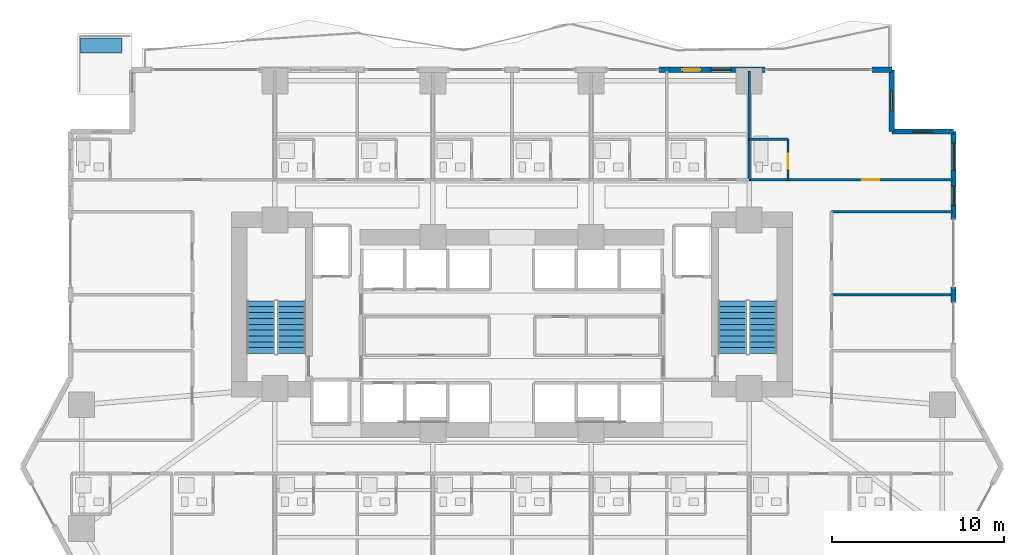
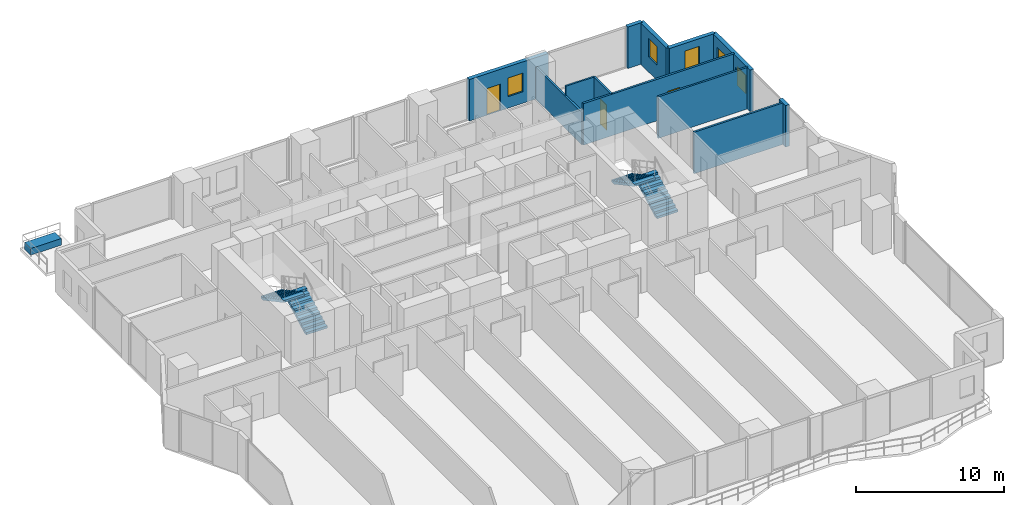
# One storey, part 24 of 29: 12 walls, 5 windows, 4 stair flights, 3 doors, 1 building element part, 8 openings, 2 elements without a shape of their own.
"""IFC4 building model written with IfcOpenShell, lengths in metres."""

from ifc_helpers import new_model, si_unit, direction, frame, frame_2d, origin, origin_2d, place, context, subcontext, project, spatial, polyline, rectangle, outline, extrude, material, layer, layer_set, type_object, element, fill, aggregate, save


model = new_model("IFC4")

# Units and contexts
model_context = context("Model", 3, precision=1e-05, world=origin(), true_north=direction((0.0, 1.0)))
body_context = subcontext(model_context, "Body", "Model", "MODEL_VIEW")
ifc_project = project(units=[si_unit("LENGTHUNIT", "METRE"), si_unit("AREAUNIT", "SQUARE_METRE"), si_unit("VOLUMEUNIT", "CUBIC_METRE"), si_unit("PLANEANGLEUNIT", "RADIAN"), si_unit("MASSUNIT", "GRAM", prefix="KILO")], contexts=[model_context])

# Site, building, storey
site_placement = place(None, origin())
site = spatial("IfcSite", under=ifc_project, at=site_placement, CompositionType="ELEMENT")
building_placement = place(site_placement, origin())
building = spatial("IfcBuilding", under=site, at=building_placement, Name="Zuhayl Quay Hotel", CompositionType="ELEMENT")
storey_placement = place(building_placement, frame((0.0, 0.0, 60.449951171875)))
storey = spatial("IfcBuildingStorey", under=building, at=storey_placement, Name="L14", CompositionType="ELEMENT", Elevation=60.449951171875)

# Wall, openings, door, window
ifc_material_1 = material(Name="Precast concrete C45/55", Category="concrete")
ifc_layer_1 = layer(ifc_material_1, 0.300048828125, Name="Precast concrete C45/55", Category="concrete")
ifc_layer_set_1 = layer_set([ifc_layer_1], Name="Precast concrete C45/55")
wall_type_1 = type_object("IfcWallType", Name="WL_EXT_300", PredefinedType="STANDARD", material=ifc_layer_set_1)
wall_1_placement = place(storey_placement, frame((8.550048828125, 23.10009765625, 0.0), z_axis=(0.0, 0.0, 1.0), x_axis=(1.0, 0.0, 0.0)))
wall_1 = element("IfcWall", 1, at=wall_1_placement, inside=storey, type_object=wall_type_1, Name="L14 Exterior Precast Wall ENV_L14_N_EW6", PredefinedType="STANDARD", context=body_context, shape_type="SweptSolid", body=[
    extrude(rectangle(XDim=6.169921875, YDim=0.300048828125, at=frame_2d((3.0849609375, 0.0))), origin(), (0.0, 0.0, 1.0), 3.429931640625),
])
opening_1_placement = place(wall_1_placement, frame((1.364990234375, 0.0, 0.0)))
opening_1 = element("IfcOpeningElement", 2, at=opening_1_placement, cuts=wall_1, Name="Opening DG1", PredefinedType="OPENING", context=body_context, shape_type="SweptSolid", body=[
    extrude(rectangle(XDim=1.050048828125, YDim=2.199951171875, at=frame_2d((0.52490234375, 1.10009765625))), frame((0.0, 0.159912109375, 0.0), z_axis=(0.0, -1.0, 0.0), x_axis=(1.0, 0.0, 0.0)), (0.0, 0.0, 1.0), 0.320068359375),
])
opening_2_placement = place(wall_1_placement, frame((3.032470703125, 0.0, 0.949951171875)))
opening_2 = element("IfcOpeningElement", 3, at=opening_2_placement, cuts=wall_1, Name="Opening W01N", PredefinedType="OPENING", context=body_context, shape_type="SweptSolid", body=[
    extrude(rectangle(XDim=1.14990234375, YDim=1.550048828125, at=frame_2d((0.574951171875, 0.77490234375))), frame((0.0, 0.159912109375, 0.0), z_axis=(0.0, -1.0, 0.0), x_axis=(1.0, 0.0, 0.0)), (0.0, 0.0, 1.0), 0.320068359375),
])
ifc_material_2 = material(Name="Anodised Aluminium and Dark Solar Glass", Category="aluminium")
door_type_1 = type_object("IfcDoorType", Name="DR_EXT_TERR_1050", OperationType="NOTDEFINED", PredefinedType="DOOR", material=ifc_material_2)
door_1_placement = place(opening_1_placement, origin())
door_1 = element("IfcDoor", 4, at=door_1_placement, inside=storey, type_object=door_type_1, Name="L14 North Rippling Balcony Door", OperationType="SINGLE_SWING_LEFT", OverallHeight=2.199951171875, OverallWidth=1.050048828125, PredefinedType="DOOR", context=body_context, shape_type="SweptSolid", body=[
    extrude(rectangle(XDim=1.050048828125, YDim=2.199951171875, at=frame_2d((0.52490234375, 1.10009765625))), frame((0.0, 0.02490234375, 0.0), z_axis=(0.0, -1.0, 0.0), x_axis=(1.0, 0.0, 0.0)), (0.0, 0.0, 1.0), 0.050048828125),
])
fill(opening_1, door_1)
ifc_material_3 = material(Name="Dark Ceramic-Fritted Solar Glass", Category="glass")
window_type_1 = type_object("IfcWindowType", Name="WN_NOTCH_1350", PartitioningType="SINGLE_PANEL", PredefinedType="WINDOW", material=ifc_material_3)
window_1_placement = place(opening_2_placement, origin())
window_1 = element("IfcWindow", 5, at=window_1_placement, inside=storey, type_object=window_type_1, Name="L14 Operable Facade Window 6-1", OverallHeight=1.550048828125, OverallWidth=1.14990234375, PartitioningType="SINGLE_PANEL", PredefinedType="WINDOW", context=body_context, shape_type="SweptSolid", body=[
    extrude(rectangle(XDim=1.14990234375, YDim=1.550048828125, at=frame_2d((0.574951171875, 0.77490234375))), frame((0.0, 0.030029296875, 0.0), z_axis=(0.0, -1.0, 0.0), x_axis=(1.0, 0.0, 0.0)), (0.0, 0.0, 1.0), 0.06005859375),
])
fill(opening_2, window_1)

# Wall
wall_2_placement = place(storey_placement, frame((20.949951171875, 23.10009765625, 0.0), z_axis=(0.0, 0.0, 1.0), x_axis=(1.0, 0.0, 0.0)))
element("IfcWall", 6, at=wall_2_placement, inside=storey, type_object=wall_type_1, Name="L14 Exterior Precast Wall ENV_L14_N_EW7", PredefinedType="STANDARD", context=body_context, shape_type="SweptSolid", body=[
    extrude(rectangle(XDim=1.150146484375, YDim=0.300048828125, at=frame_2d((0.5751953125, 0.0))), origin(), (0.0, 0.0, 1.0), 3.429931640625),
])

# Wall, opening, window
wall_3_placement = place(storey_placement, frame((22.10009765625, 23.10009765625, 0.0), z_axis=(0.0, 0.0, 1.0), x_axis=(0.0, -1.0, 0.0)))
wall_3 = element("IfcWall", 7, at=wall_3_placement, inside=storey, type_object=wall_type_1, Name="L14 Exterior Precast Wall ENV_L14_EW09", PredefinedType="STANDARD", context=body_context, shape_type="SweptSolid", body=[
    extrude(rectangle(XDim=3.60009765625, YDim=0.300048828125, at=frame_2d((1.800048828125, 0.0))), origin(), (0.0, 0.0, 1.0), 3.429931640625),
])
opening_3_placement = place(wall_3_placement, frame((1.22509765625, 0.0, 1.25)))
opening_3 = element("IfcOpeningElement", 8, at=opening_3_placement, cuts=wall_3, Name="Opening W01N", PredefinedType="OPENING", context=body_context, shape_type="SweptSolid", body=[
    extrude(rectangle(XDim=1.14990234375, YDim=1.550048828125, at=frame_2d((0.574951171875, 0.77490234375))), frame((0.0, 0.159912109375, 0.0), z_axis=(0.0, -1.0, 0.0), x_axis=(1.0, 0.0, 0.0)), (0.0, 0.0, 1.0), 0.320068359375),
])
window_2_placement = place(opening_3_placement, origin())
window_2 = element("IfcWindow", 9, at=window_2_placement, inside=storey, type_object=window_type_1, Name="L14 Corner Notch Window 9", OverallHeight=1.550048828125, OverallWidth=1.14990234375, PartitioningType="SINGLE_PANEL", PredefinedType="WINDOW", context=body_context, shape_type="SweptSolid", body=[
    extrude(rectangle(XDim=1.14990234375, YDim=1.550048828125, at=frame_2d((0.574951171875, 0.77490234375))), frame((0.0, 0.030029296875, 0.0), z_axis=(0.0, -1.0, 0.0), x_axis=(1.0, 0.0, 0.0)), (0.0, 0.0, 1.0), 0.06005859375),
])
fill(opening_3, window_2)

wall_4_placement = place(storey_placement, frame((22.10009765625, 19.5, 0.0), z_axis=(0.0, 0.0, 1.0), x_axis=(1.0, 0.0, 0.0)))
wall_4 = element("IfcWall", 10, at=wall_4_placement, inside=storey, type_object=wall_type_1, Name="L14 Exterior Precast Wall ENV_L14_EW10", PredefinedType="STANDARD", context=body_context, shape_type="SweptSolid", body=[
    extrude(rectangle(XDim=3.599853515625, YDim=0.300048828125, at=frame_2d((1.7998046875, 0.0))), origin(), (0.0, 0.0, 1.0), 3.429931640625),
])
opening_4_placement = place(wall_4_placement, frame((1.22509765625, 0.0, 1.25)))
opening_4 = element("IfcOpeningElement", 11, at=opening_4_placement, cuts=wall_4, Name="Opening W01N", PredefinedType="OPENING", context=body_context, shape_type="SweptSolid", body=[
    extrude(rectangle(XDim=1.14990234375, YDim=1.550048828125, at=frame_2d((0.574951171875, 0.77490234375))), frame((0.0, 0.159912109375, 0.0), z_axis=(0.0, -1.0, 0.0), x_axis=(1.0, 0.0, 0.0)), (0.0, 0.0, 1.0), 0.320068359375),
])
window_3_placement = place(opening_4_placement, origin())
window_3 = element("IfcWindow", 12, at=window_3_placement, inside=storey, type_object=window_type_1, Name="L14 Corner Notch Window 10", OverallHeight=1.550048828125, OverallWidth=1.14990234375, PartitioningType="SINGLE_PANEL", PredefinedType="WINDOW", context=body_context, shape_type="SweptSolid", body=[
    extrude(rectangle(XDim=1.14990234375, YDim=1.550048828125, at=frame_2d((0.574951171875, 0.77490234375))), frame((0.0, 0.030029296875, 0.0), z_axis=(0.0, -1.0, 0.0), x_axis=(1.0, 0.0, 0.0)), (0.0, 0.0, 1.0), 0.06005859375),
])
fill(opening_4, window_3)

# Wall, openings, windows
wall_5_placement = place(storey_placement, frame((25.699951171875, 19.5, 0.0), z_axis=(0.0, 0.0, 1.0), x_axis=(0.0, -1.0, 0.0)))
wall_5 = element("IfcWall", 13, at=wall_5_placement, inside=storey, type_object=wall_type_1, Name="L14 Exterior Precast Wall ENV_L14_E11_EW1", PredefinedType="STANDARD", context=body_context, shape_type="SweptSolid", body=[
    extrude(rectangle(XDim=5.10009765625, YDim=0.300048828125, at=frame_2d((2.550048828125, 0.0))), origin(), (0.0, 0.0, 1.0), 3.429931640625),
])
opening_5_placement = place(wall_5_placement, frame((0.659912109375, 0.0, 0.85009765625)))
opening_5 = element("IfcOpeningElement", 14, at=opening_5_placement, cuts=wall_5, Name="Opening W01", PredefinedType="OPENING", context=body_context, shape_type="SweptSolid", body=[
    extrude(rectangle(XDim=1.60009765625, YDim=1.800048828125, at=frame_2d((0.800048828125, 0.89990234375))), frame((0.0, 0.159912109375, 0.0), z_axis=(0.0, -1.0, 0.0), x_axis=(1.0, 0.0, 0.0)), (0.0, 0.0, 1.0), 0.320068359375),
])
opening_6_placement = place(wall_5_placement, frame((3.14990234375, 0.0, 0.949951171875)))
opening_6 = element("IfcOpeningElement", 15, at=opening_6_placement, cuts=wall_5, Name="Opening W01N", PredefinedType="OPENING", context=body_context, shape_type="SweptSolid", body=[
    extrude(rectangle(XDim=1.14990234375, YDim=1.550048828125, at=frame_2d((0.574951171875, 0.77490234375))), frame((0.0, 0.159912109375, 0.0), z_axis=(0.0, -1.0, 0.0), x_axis=(1.0, 0.0, 0.0)), (0.0, 0.0, 1.0), 0.320068359375),
])
window_4_placement = place(opening_6_placement, origin())
window_4 = element("IfcWindow", 16, at=window_4_placement, inside=storey, type_object=window_type_1, Name="L14 Operable Facade Window 1-2", OverallHeight=1.550048828125, OverallWidth=1.14990234375, PartitioningType="SINGLE_PANEL", PredefinedType="WINDOW", context=body_context, shape_type="SweptSolid", body=[
    extrude(rectangle(XDim=1.14990234375, YDim=1.550048828125, at=frame_2d((0.574951171875, 0.77490234375))), frame((0.0, 0.030029296875, 0.0), z_axis=(0.0, -1.0, 0.0), x_axis=(1.0, 0.0, 0.0)), (0.0, 0.0, 1.0), 0.06005859375),
])
fill(opening_6, window_4)
window_type_2 = type_object("IfcWindowType", Name="WN_OPERABLE_1600", PartitioningType="DOUBLE_PANEL_VERTICAL", PredefinedType="WINDOW", material=ifc_material_3)
window_5_placement = place(opening_5_placement, origin())
window_5 = element("IfcWindow", 17, at=window_5_placement, inside=storey, type_object=window_type_2, Name="L14 Operable Facade Window 1-1", OverallHeight=1.800048828125, OverallWidth=1.60009765625, PartitioningType="SINGLE_PANEL", PredefinedType="WINDOW", context=body_context, shape_type="SweptSolid", body=[
    extrude(rectangle(XDim=1.60009765625, YDim=1.800048828125, at=frame_2d((0.800048828125, 0.89990234375))), frame((0.0, 0.030029296875, 0.0), z_axis=(0.0, -1.0, 0.0), x_axis=(1.0, 0.0, 0.0)), (0.0, 0.0, 1.0), 0.06005859375),
])
fill(opening_5, window_5)

# Walls
wall_6_placement = place(storey_placement, frame((25.699951171875, 10.469970703125, 0.0), z_axis=(0.0, 0.0, 1.0), x_axis=(0.0, -1.0, 0.0)))
element("IfcWall", 18, at=wall_6_placement, inside=storey, type_object=wall_type_1, Name="L14 Exterior Precast Wall ENV_L14_E11_EW2", PredefinedType="STANDARD", context=body_context, shape_type="SweptSolid", body=[
    extrude(rectangle(XDim=0.89990234375, YDim=0.300048828125, at=frame_2d((0.449951171875, 0.0))), origin(), (0.0, 0.0, 1.0), 3.429931640625),
])
ifc_material_4 = material(Name="Acoustic Gypsum Partition STC-58")
ifc_layer_2 = layer(ifc_material_4, 0.14990234375, Name="Acoustic Gypsum Partition STC-58")
ifc_layer_set_2 = layer_set([ifc_layer_2], Name="Acoustic Gypsum Partition STC-58")
wall_type_2 = type_object("IfcWallType", Name="WL_PART_150", PredefinedType="PARTITIONING", material=ifc_layer_set_2)
wall_7_placement = place(storey_placement, frame((13.800048828125, 16.699951171875, 0.0), z_axis=(0.0, 0.0, 1.0), x_axis=(0.0, 1.0, 0.0)))
element("IfcWall", 19, at=wall_7_placement, inside=storey, type_object=wall_type_2, Name="L14 Partition IW_L14_NU07_E", PredefinedType="PARTITIONING", context=body_context, shape_type="SweptSolid", body=[
    extrude(rectangle(XDim=6.320068359375, YDim=0.14990234375, at=frame_2d((3.16015625, 0.0))), origin(), (0.0, 0.0, 1.0), 2.66796875),
])
for number, where, z_axis, x_axis, name in (
    (20, (18.60009765625, 10.02001953125, 0.0), (0.0, 0.0, 1.0), (1.0, 0.0, 0.0), "L14 Partition IW_L14_EFLK_2_N"),
    (21, (18.60009765625, 14.85009765625, 0.0), (0.0, 0.0, 1.0), (1.0, 0.0, 0.0), "L14 Partition IW_L14_EFLK_3_N"),
):
    element("IfcWall", number, at=place(storey_placement, frame(where, z_axis=z_axis, x_axis=x_axis)), inside=storey, type_object=wall_type_2, Name=name, PredefinedType="PARTITIONING", context=body_context, shape_type="SweptSolid", body=[
        extrude(rectangle(XDim=7.039794921875, YDim=0.14990234375, at=frame_2d((3.52001953125, 0.0))), origin(), (0.0, 0.0, 1.0), 3.429931640625),
    ])

# Wall, opening, door
ifc_layer_3 = layer(ifc_material_4, 0.159912109375, Name="Acoustic Gypsum Partition STC-58")
ifc_layer_set_3 = layer_set([ifc_layer_3], Name="Acoustic Gypsum Partition STC-58")
wall_type_3 = type_object("IfcWallType", Name="WL_PART_CORR_160", PredefinedType="PARTITIONING", material=ifc_layer_set_3)
wall_8_placement = place(storey_placement, frame((13.800048828125, 16.699951171875, 0.0), z_axis=(0.0, 0.0, 1.0), x_axis=(1.0, 0.0, 0.0)))
wall_8 = element("IfcWall", 22, at=wall_8_placement, inside=storey, type_object=wall_type_3, Name="L14 Partition IW_L14_NU08_COR", PredefinedType="PARTITIONING", context=body_context, shape_type="SweptSolid", body=[
    extrude(rectangle(XDim=11.83984375, YDim=0.159912109375, at=frame_2d((5.919921875, 0.0))), origin(), (0.0, 0.0, 1.0), 3.429931640625),
])
opening_7_placement = place(wall_8_placement, frame((6.570068359375, 0.0, 0.0)))
opening_7 = element("IfcOpeningElement", 23, at=opening_7_placement, cuts=wall_8, Name="Opening D03L", PredefinedType="OPENING", context=body_context, shape_type="SweptSolid", body=[
    extrude(rectangle(XDim=1.0, YDim=2.14990234375, at=frame_2d((0.5, 1.074951171875))), frame((0.0, 0.08984375, 0.0), z_axis=(0.0, -1.0, 0.0), x_axis=(1.0, 0.0, 0.0)), (0.0, 0.0, 1.0), 0.179931640625),
])
ifc_material_5 = material(Name="Solid Walnut Acoustic Fire Door")
door_type_2 = type_object("IfcDoorType", Name="DR_SUITE_1000", OperationType="NOTDEFINED", PredefinedType="DOOR", material=ifc_material_5)
door_2_placement = place(opening_7_placement, origin())
door_2 = element("IfcDoor", 24, at=door_2_placement, inside=storey, type_object=door_type_2, Name="L14 Deluxe Gulf Guest Room L14-08 Entrance Door", OperationType="SINGLE_SWING_RIGHT", OverallHeight=2.14990234375, OverallWidth=1.0, PredefinedType="DOOR", context=body_context, shape_type="SweptSolid", body=[
    extrude(rectangle(XDim=1.0, YDim=2.14990234375, at=frame_2d((0.5, 1.074951171875))), frame((0.0, 0.02490234375, 0.0), z_axis=(0.0, -1.0, 0.0), x_axis=(1.0, 0.0, 0.0)), (0.0, 0.0, 1.0), 0.050048828125),
])
fill(opening_7, door_2)

ifc_material_6 = material(Name="Moisture-Resistant Sanitarychase Gypsum")
ifc_layer_4 = layer(ifc_material_6, 0.135009765625, Name="Moisture-Resistant Sanitarychase Gypsum")
ifc_layer_set_4 = layer_set([ifc_layer_4], Name="Moisture-Resistant Sanitarychase Gypsum")
wall_type_4 = type_object("IfcWallType", Name="WL_PART_PLUMB_150", PredefinedType="PLUMBINGWALL", material=ifc_layer_set_4)
wall_9_placement = place(storey_placement, frame((16.06005859375, 16.699951171875, 0.0), z_axis=(0.0, 0.0, 1.0), x_axis=(0.0, 1.0, 0.0)))
wall_9 = element("IfcWall", 25, at=wall_9_placement, inside=storey, type_object=wall_type_4, Name="L14 Partition IW_L14_NU08_BE", PredefinedType="PLUMBINGWALL", context=body_context, shape_type="SweptSolid", body=[
    extrude(rectangle(XDim=2.360107421875, YDim=0.135009765625, at=frame_2d((1.18017578125, 0.0))), origin(), (0.0, 0.0, 1.0), 3.429931640625),
])
opening_8_placement = place(wall_9_placement, frame((0.64990234375, 0.0, 0.0)))
opening_8 = element("IfcOpeningElement", 26, at=opening_8_placement, cuts=wall_9, Name="Opening D04", PredefinedType="OPENING", context=body_context, shape_type="SweptSolid", body=[
    extrude(rectangle(XDim=0.85009765625, YDim=2.10009765625, at=frame_2d((0.425048828125, 1.050048828125))), frame((0.0, 0.077392578125, 0.0), z_axis=(0.0, -1.0, 0.0), x_axis=(1.0, 0.0, 0.0)), (0.0, 0.0, 1.0), 0.155029296875),
])
ifc_material_7 = material(Name="Moisture-Resistant Walnut Veneer")
door_type_3 = type_object("IfcDoorType", Name="DR_BATH_850", OperationType="NOTDEFINED", PredefinedType="DOOR", material=ifc_material_7)
door_3_placement = place(opening_8_placement, origin())
door_3 = element("IfcDoor", 27, at=door_3_placement, inside=storey, type_object=door_type_3, Name="L14 Deluxe Gulf Guest Room L14-08 En-Suite Door", OperationType="SINGLE_SWING_LEFT", OverallHeight=2.10009765625, OverallWidth=0.85009765625, PredefinedType="DOOR", context=body_context, shape_type="SweptSolid", body=[
    extrude(rectangle(XDim=0.85009765625, YDim=2.10009765625, at=frame_2d((0.425048828125, 1.050048828125))), frame((0.0, 0.02490234375, 0.0), z_axis=(0.0, -1.0, 0.0), x_axis=(1.0, 0.0, 0.0)), (0.0, 0.0, 1.0), 0.050048828125),
])
fill(opening_8, door_3)

# Wall
wall_10_placement = place(storey_placement, frame((13.800048828125, 19.06005859375, 0.0), z_axis=(0.0, 0.0, 1.0), x_axis=(1.0, 0.0, 0.0)))
element("IfcWall", 28, at=wall_10_placement, inside=storey, type_object=wall_type_4, Name="L14 Partition IW_L14_NU08_BN", PredefinedType="PLUMBINGWALL", context=body_context, shape_type="SweptSolid", body=[
    extrude(rectangle(XDim=2.260009765625, YDim=0.135009765625, at=frame_2d((1.1298828125, 0.0))), origin(), (0.0, 0.0, 1.0), 3.429931640625),
])

# Stair, stair flights
ifc_material_8 = material(Name="Concrete C45/55", Category="concrete")
stair_type = type_object("IfcStairType", Name="ST_DOGLEG_TOWER", PredefinedType="HALF_TURN_STAIR", material=ifc_material_8)
stair_1_placement = place(storey_placement, origin())
stair_1 = element("IfcStair", 29, at=stair_1_placement, inside=storey, type_object=stair_type, Name="L14 Smokeproof Exit Stair ST1", PredefinedType="HALF_TURN_STAIR")
ifc_layer_5 = layer(ifc_material_8, 0.159912109375, Name="Concrete C45/55", Category="concrete")
ifc_layer_set_5 = layer_set([ifc_layer_5], Name="Concrete C45/55")
stair_flight_type = type_object("IfcStairFlightType", Name="SF_CONC_164", PredefinedType="STRAIGHT", material=ifc_layer_set_5)
stair_flight_1_placement = place(storey_placement, frame((-12.820068359375, 6.590087890625, 0.0), z_axis=(0.0, 0.0, 1.0), x_axis=(0.0, 1.0, 0.0)))
stair_flight_1 = element("IfcStairFlight", 30, at=stair_flight_1_placement, type_object=stair_flight_type, Name="ST1 flight 1", NumberOfRisers=10, NumberOfTreads=9, PredefinedType="STRAIGHT", RiserHeight=0.1825, TreadLength=0.34, context=body_context, shape_type="SweptSolid", body=[
    extrude(outline(polyline([(0.0, 0.0), (0.0, 0.1826171875), (0.340087890625, 0.1826171875), (0.340087890625, 0.364990234375), (0.679931640625, 0.364990234375), (0.679931640625, 0.547607421875), (1.02001953125, 0.547607421875), (1.02001953125, 0.72998046875), (1.360107421875, 0.72998046875), (1.360107421875, 0.91259765625), (1.699951171875, 0.91259765625), (1.699951171875, 1.094970703125), (2.0400390625, 1.094970703125), (2.0400390625, 1.277587890625), (2.3798828125, 1.277587890625), (2.3798828125, 1.4599609375), (2.719970703125, 1.4599609375), (2.719970703125, 1.642578125), (3.06005859375, 1.642578125), (3.06005859375, 1.824951171875), (3.06005859375, 1.472412109375), (0.31689453125, 0.0), (0.0, 0.0)])), frame((0.0, 0.81982421875, 0.0), z_axis=(0.0, -1.0, 0.0), x_axis=(1.0, 0.0, 0.0)), (0.0, 0.0, 1.0), 1.639892578125),
])
stair_flight_2_placement = place(storey_placement, frame((-14.610107421875, 9.64990234375, 1.824951171875), z_axis=(0.0, 0.0, 1.0), x_axis=(0.0, -1.0, 0.0)))
stair_flight_2 = element("IfcStairFlight", 31, at=stair_flight_2_placement, type_object=stair_flight_type, Name="ST1 flight 2", NumberOfRisers=10, NumberOfTreads=9, PredefinedType="STRAIGHT", RiserHeight=0.1825, TreadLength=0.34, context=body_context, shape_type="SweptSolid", body=[
    extrude(outline(polyline([(0.0, 0.0), (0.0, 0.1826171875), (0.340087890625, 0.1826171875), (0.340087890625, 0.364990234375), (0.679931640625, 0.364990234375), (0.679931640625, 0.547607421875), (1.02001953125, 0.547607421875), (1.02001953125, 0.72998046875), (1.360107421875, 0.72998046875), (1.360107421875, 0.91259765625), (1.699951171875, 0.91259765625), (1.699951171875, 1.094970703125), (2.0400390625, 1.094970703125), (2.0400390625, 1.277587890625), (2.3798828125, 1.277587890625), (2.3798828125, 1.4599609375), (2.719970703125, 1.4599609375), (2.719970703125, 1.642578125), (3.06005859375, 1.642578125), (3.06005859375, 1.824951171875), (3.06005859375, 1.472412109375), (0.31689453125, 0.0), (0.0, 0.0)])), frame((0.0, 0.81982421875, 0.0), z_axis=(0.0, -1.0, 0.0), x_axis=(1.0, 0.0, 0.0)), (0.0, 0.0, 1.0), 1.639892578125),
])
aggregate(stair_1, [stair_flight_1, stair_flight_2])

stair_2_placement = place(storey_placement, origin())
stair_2 = element("IfcStair", 32, at=stair_2_placement, inside=storey, type_object=stair_type, Name="L14 Smokeproof Exit Stair ST2", PredefinedType="HALF_TURN_STAIR")
stair_flight_3_placement = place(storey_placement, frame((14.610107421875, 6.590087890625, 0.0), z_axis=(0.0, 0.0, 1.0), x_axis=(0.0, 1.0, 0.0)))
stair_flight_3 = element("IfcStairFlight", 33, at=stair_flight_3_placement, type_object=stair_flight_type, Name="ST2 flight 1", NumberOfRisers=10, NumberOfTreads=9, PredefinedType="STRAIGHT", RiserHeight=0.1825, TreadLength=0.34, context=body_context, shape_type="SweptSolid", body=[
    extrude(outline(polyline([(0.0, 0.0), (0.0, 0.1826171875), (0.340087890625, 0.1826171875), (0.340087890625, 0.364990234375), (0.679931640625, 0.364990234375), (0.679931640625, 0.547607421875), (1.02001953125, 0.547607421875), (1.02001953125, 0.72998046875), (1.360107421875, 0.72998046875), (1.360107421875, 0.91259765625), (1.699951171875, 0.91259765625), (1.699951171875, 1.094970703125), (2.0400390625, 1.094970703125), (2.0400390625, 1.277587890625), (2.3798828125, 1.277587890625), (2.3798828125, 1.4599609375), (2.719970703125, 1.4599609375), (2.719970703125, 1.642578125), (3.06005859375, 1.642578125), (3.06005859375, 1.824951171875), (3.06005859375, 1.472412109375), (0.31689453125, 0.0), (0.0, 0.0)])), frame((0.0, 0.81982421875, 0.0), z_axis=(0.0, -1.0, 0.0), x_axis=(1.0, 0.0, 0.0)), (0.0, 0.0, 1.0), 1.639892578125),
])
stair_flight_4_placement = place(storey_placement, frame((12.820068359375, 9.64990234375, 1.824951171875), z_axis=(0.0, 0.0, 1.0), x_axis=(0.0, -1.0, 0.0)))
stair_flight_4 = element("IfcStairFlight", 34, at=stair_flight_4_placement, type_object=stair_flight_type, Name="ST2 flight 2", NumberOfRisers=10, NumberOfTreads=9, PredefinedType="STRAIGHT", RiserHeight=0.1825, TreadLength=0.34, context=body_context, shape_type="SweptSolid", body=[
    extrude(outline(polyline([(0.0, 0.0), (0.0, 0.1826171875), (0.340087890625, 0.1826171875), (0.340087890625, 0.364990234375), (0.679931640625, 0.364990234375), (0.679931640625, 0.547607421875), (1.02001953125, 0.547607421875), (1.02001953125, 0.72998046875), (1.360107421875, 0.72998046875), (1.360107421875, 0.91259765625), (1.699951171875, 0.91259765625), (1.699951171875, 1.094970703125), (2.0400390625, 1.094970703125), (2.0400390625, 1.277587890625), (2.3798828125, 1.277587890625), (2.3798828125, 1.4599609375), (2.719970703125, 1.4599609375), (2.719970703125, 1.642578125), (3.06005859375, 1.642578125), (3.06005859375, 1.824951171875), (3.06005859375, 1.472412109375), (0.31689453125, 0.0), (0.0, 0.0)])), frame((0.0, 0.81982421875, 0.0), z_axis=(0.0, -1.0, 0.0), x_axis=(1.0, 0.0, 0.0)), (0.0, 0.0, 1.0), 1.639892578125),
])
aggregate(stair_2, [stair_flight_3, stair_flight_4])

# Building element part
ifc_layer_6 = layer(ifc_material_1, 0.550048828125, Name="Precast concrete C45/55", Category="concrete")
ifc_layer_set_6 = layer_set([ifc_layer_6], Name="Precast concrete C45/55")
building_element_part_type = type_object("IfcBuildingElementPartType", Name="PT_PLANTER_KERB", PredefinedType="PRECASTPANEL", material=ifc_layer_set_6)
building_element_part_placement = place(storey_placement, frame((-23.909912109375, 24.510009765625, 0.0), z_axis=(0.0, 0.0, 1.0), x_axis=(1.0, 0.0, 0.0)))
element("IfcBuildingElementPart", 35, at=building_element_part_placement, inside=storey, type_object=building_element_part_type, Name="L14 Spiral Sky-Terrace Planter Box NW", PredefinedType="PRECASTPANEL", context=body_context, shape_type="SweptSolid", body=[
    extrude(rectangle(XDim=2.39990234375, YDim=0.85009765625, at=origin_2d()), origin(), (0.0, 0.0, 1.0), 0.550048828125),
])

save(model, "model.ifc")
